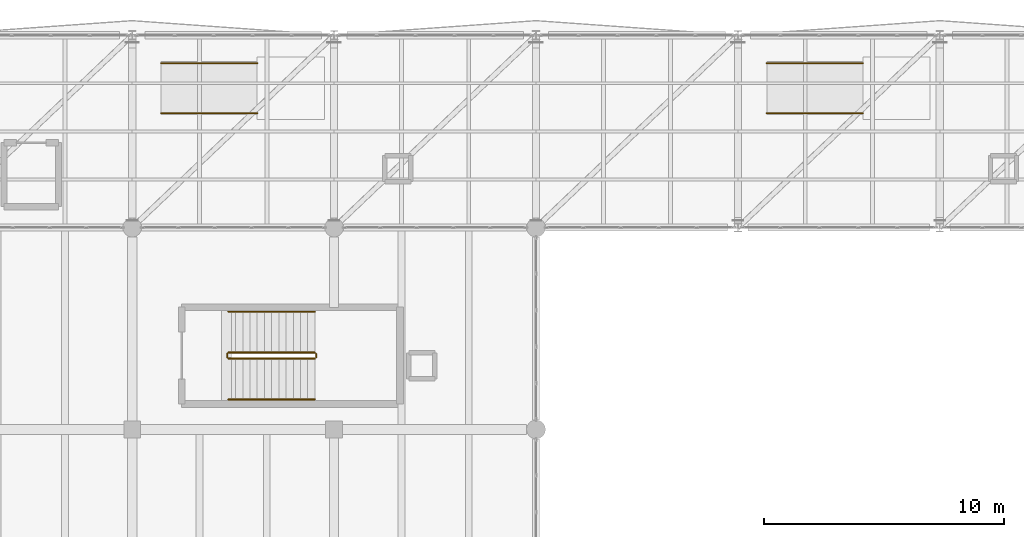
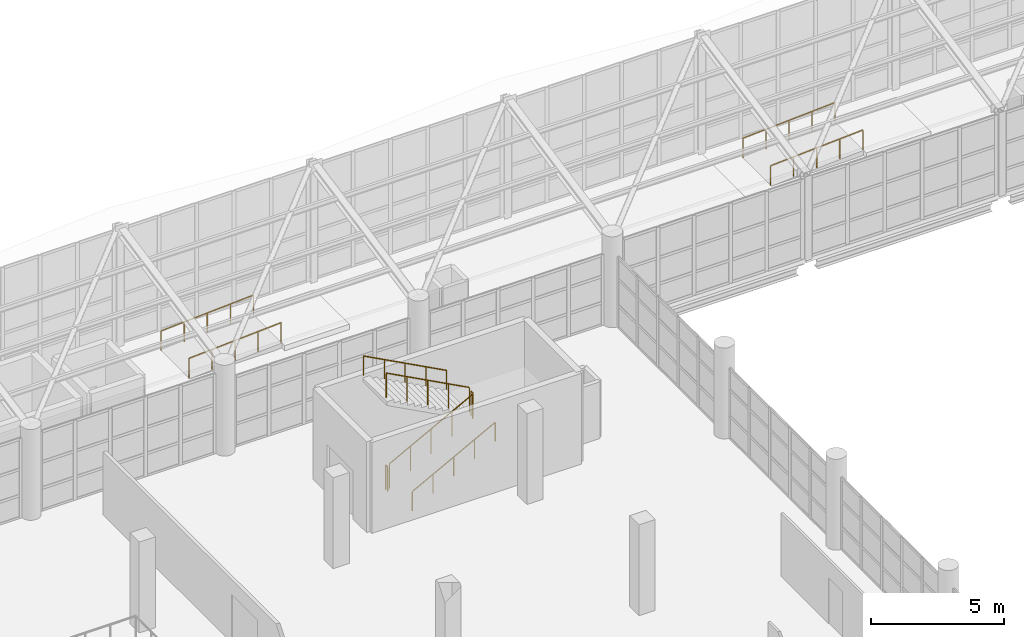
# One storey, part 173 of 177: 10 railings.
"""IFC4 building model written with IfcOpenShell, lengths in metres."""

from ifc_helpers import new_model, si_unit, direction, frame, origin, origin_2d, place, context, subcontext, project, spatial, circle, extrude, material, type_object, element, save


model = new_model("IFC4")

# Units and contexts
model_context = context("Model", 3, precision=1e-05, world=origin(), true_north=direction((0.0, 1.0)))
body_context = subcontext(model_context, "Body", "Model", "MODEL_VIEW")
ifc_project = project(units=[si_unit("LENGTHUNIT", "METRE"), si_unit("AREAUNIT", "SQUARE_METRE"), si_unit("VOLUMEUNIT", "CUBIC_METRE"), si_unit("PLANEANGLEUNIT", "RADIAN"), si_unit("MASSUNIT", "GRAM", prefix="KILO"), si_unit("THERMODYNAMICTEMPERATUREUNIT", "KELVIN"), si_unit("POWERUNIT", "WATT")], contexts=[model_context])

# Site, building, storey
site_placement = place(None, origin())
site = spatial("IfcSite", under=ifc_project, at=site_placement, CompositionType="ELEMENT")
building_placement = place(site_placement, origin())
building = spatial("IfcBuilding", under=site, at=building_placement, Name="Mavoryth Pier Ferry Terminal", CompositionType="ELEMENT")
storey_placement = place(building_placement, frame((0.0, 0.0, 5.43994140625)))
storey = spatial("IfcBuildingStorey", under=building, at=storey_placement, Name="L01", CompositionType="ELEMENT", Elevation=5.43994140625)

# Railings
ifc_material_1 = material(Name="Bronze-Anodised Aluminium and Glass Balustrade", Category="aluminium")
railing_type_1 = type_object("IfcRailingType", Name="Guard-Atrium-Bronze1150", PredefinedType="GUARDRAIL", material=ifc_material_1)
railing_1_placement = place(storey_placement, frame((79.60009765625, 100.550048828125, 0.16015625)))
element("IfcRailing", 1, at=railing_1_placement, inside=storey, type_object=railing_type_1, Name="L01 ST15 stair guard 1", PredefinedType="GUARDRAIL", context=body_context, shape_type="SweptSolid", body=[
    extrude(circle(Radius=0.02392578125, at=origin_2d()), frame((0.0, 0.0, 1.1259765625), z_axis=(0.882352941176, 0.0, 0.470588235294), x_axis=(0.0, 1.0, 0.0)), (0.0, 0.0, 1.0), 4.079833984375),
    extrude(circle(Radius=0.02099609375, at=origin_2d()), origin(), (0.0, 0.0, 1.0), 1.101806640625),
    extrude(circle(Radius=0.02099609375, at=origin_2d()), frame((0.89990234375, 0.0, 0.47998046875)), (0.0, 0.0, 1.0), 1.101806640625),
    extrude(circle(Radius=0.02099609375, at=origin_2d()), frame((1.7998046875, 0.0, 0.9599609375)), (0.0, 0.0, 1.0), 1.101806640625),
    extrude(circle(Radius=0.02099609375, at=origin_2d()), frame((2.699951171875, 0.0, 1.43994140625)), (0.0, 0.0, 1.0), 1.101806640625),
    extrude(circle(Radius=0.02099609375, at=origin_2d()), frame((3.599853515625, 0.0, 1.919921875)), (0.0, 0.0, 1.0), 1.101806640625),
])
railing_2_placement = place(storey_placement, frame((83.25, 100.60009765625, 2.080078125)))
element("IfcRailing", 2, at=railing_2_placement, inside=storey, type_object=railing_type_1, Name="L01 ST15 stair guard 2", PredefinedType="GUARDRAIL", context=body_context, shape_type="SweptSolid", body=[
    extrude(circle(Radius=0.02392578125, at=origin_2d()), frame((0.0, 0.0, 1.1259765625), z_axis=(0.0, 1.0, 0.0), x_axis=(-1.0, 0.0, 0.0)), (0.0, 0.0, 1.0), 0.14990234375),
    extrude(circle(Radius=0.02099609375, at=origin_2d()), origin(), (0.0, 0.0, 1.0), 1.101806640625),
    extrude(circle(Radius=0.02099609375, at=origin_2d()), frame((0.0, 0.14990234375, 0.0)), (0.0, 0.0, 1.0), 1.101806640625),
])
railing_3_placement = place(storey_placement, frame((83.199951171875, 100.800048828125, 2.239990234375)))
element("IfcRailing", 3, at=railing_3_placement, inside=storey, type_object=railing_type_1, Name="L01 ST15 stair guard 3", PredefinedType="GUARDRAIL", context=body_context, shape_type="SweptSolid", body=[
    extrude(circle(Radius=0.02392578125, at=origin_2d()), frame((0.0, 0.0, 1.1259765625), z_axis=(-0.882328093246, 0.0, 0.470634822203), x_axis=(0.0, -1.0, 0.0)), (0.0, 0.0, 1.0), 4.079833984375),
    extrude(circle(Radius=0.02099609375, at=origin_2d()), origin(), (0.0, 0.0, 1.0), 1.101806640625),
    extrude(circle(Radius=0.02099609375, at=origin_2d()), frame((-0.89990234375, 0.0, 0.47998046875)), (0.0, 0.0, 1.0), 1.101806640625),
    extrude(circle(Radius=0.02099609375, at=origin_2d()), frame((-1.7998046875, 0.0, 0.9599609375)), (0.0, 0.0, 1.0), 1.101806640625),
    extrude(circle(Radius=0.02099609375, at=origin_2d()), frame((-2.699951171875, 0.0, 1.440185546875)), (0.0, 0.0, 1.0), 1.101806640625),
    extrude(circle(Radius=0.02099609375, at=origin_2d()), frame((-3.599853515625, 0.0, 1.920166015625)), (0.0, 0.0, 1.0), 1.101806640625),
])
railing_4_placement = place(storey_placement, frame((79.550048828125, 100.60009765625, 0.0)))
element("IfcRailing", 4, at=railing_4_placement, inside=storey, type_object=railing_type_1, Name="L01 ST15 stair guard 4", PredefinedType="GUARDRAIL", context=body_context, shape_type="SweptSolid", body=[
    extrude(circle(Radius=0.02392578125, at=origin_2d()), frame((0.0, 0.0, 1.1259765625), z_axis=(0.0, 1.0, 0.0), x_axis=(-1.0, 0.0, 0.0)), (0.0, 0.0, 1.0), 0.14990234375),
    extrude(circle(Radius=0.02099609375, at=origin_2d()), origin(), (0.0, 0.0, 1.0), 1.101806640625),
    extrude(circle(Radius=0.02099609375, at=origin_2d()), frame((0.0, 0.14990234375, 0.0)), (0.0, 0.0, 1.0), 1.101806640625),
])
ifc_material_2 = material(Name="Marine-Grade 316 Stainless Steel Handrail", Category="steel")
railing_type_2 = type_object("IfcRailingType", Name="Handrail-Ramp-SS920", PredefinedType="HANDRAIL", material=ifc_material_2)
for number, where, name in (
    (5, (76.800048828125, 110.760009765625, 0.0), "Ramp BR01 Rail"),
    (6, (76.800048828125, 112.840087890625, 0.0), "Ramp BR01 Rail"),
    (7, (102.0, 110.760009765625, 0.0), "Ramp BR02 Rail"),
    (8, (102.0, 112.840087890625, 0.0), "Ramp BR02 Rail"),
):
    element("IfcRailing", number, at=place(storey_placement, frame(where)), inside=storey, type_object=railing_type_2, Name=name, PredefinedType="HANDRAIL", context=body_context, shape_type="SweptSolid", body=[
        extrude(circle(Radius=0.02392578125, at=origin_2d()), frame((0.0, 0.0, 0.89599609375), z_axis=(0.99820499116, 0.0, 0.059889862446), x_axis=(0.0, 1.0, 0.0)), (0.0, 0.0, 1.0), 4.007080078125),
        extrude(circle(Radius=0.02099609375, at=origin_2d()), origin(), (0.0, 0.0, 1.0), 0.871826171875),
        extrude(circle(Radius=0.02099609375, at=origin_2d()), frame((1.0, 0.0, 0.06005859375)), (0.0, 0.0, 1.0), 0.871826171875),
        extrude(circle(Radius=0.02099609375, at=origin_2d()), frame((2.0, 0.0, 0.1201171875)), (0.0, 0.0, 1.0), 0.871826171875),
        extrude(circle(Radius=0.02099609375, at=origin_2d()), frame((3.0, 0.0, 0.179931640625)), (0.0, 0.0, 1.0), 0.871826171875),
        extrude(circle(Radius=0.02099609375, at=origin_2d()), frame((4.0, 0.0, 0.239990234375)), (0.0, 0.0, 1.0), 0.871826171875),
    ])
ifc_material_3 = material(Name="Brushed Stainless Steel Tubular Handrail", Category="steel")
railing_type_3 = type_object("IfcRailingType", Name="Handrail-Stair-SS900", PredefinedType="HANDRAIL", material=ifc_material_3)
railing_5_placement = place(storey_placement, frame((79.60009765625, 98.85009765625, 0.16015625)))
element("IfcRailing", 9, at=railing_5_placement, inside=storey, type_object=railing_type_3, Name="L01 ST15 stair handrail 1", PredefinedType="HANDRAIL", context=body_context, shape_type="SweptSolid", body=[
    extrude(circle(Radius=0.02392578125, at=origin_2d()), frame((0.0, 0.0, 0.8759765625), z_axis=(0.882352941176, 0.0, 0.470588235294), x_axis=(0.0, 1.0, 0.0)), (0.0, 0.0, 1.0), 4.079833984375),
    extrude(circle(Radius=0.02099609375, at=origin_2d()), origin(), (0.0, 0.0, 1.0), 0.851806640625),
    extrude(circle(Radius=0.02099609375, at=origin_2d()), frame((0.89990234375, 0.0, 0.47998046875)), (0.0, 0.0, 1.0), 0.851806640625),
    extrude(circle(Radius=0.02099609375, at=origin_2d()), frame((1.7998046875, 0.0, 0.9599609375)), (0.0, 0.0, 1.0), 0.851806640625),
    extrude(circle(Radius=0.02099609375, at=origin_2d()), frame((2.699951171875, 0.0, 1.43994140625)), (0.0, 0.0, 1.0), 0.851806640625),
    extrude(circle(Radius=0.02099609375, at=origin_2d()), frame((3.599853515625, 0.0, 1.919921875)), (0.0, 0.0, 1.0), 0.851806640625),
])
railing_6_placement = place(storey_placement, frame((83.199951171875, 102.5, 2.239990234375)))
element("IfcRailing", 10, at=railing_6_placement, inside=storey, type_object=railing_type_3, Name="L01 ST15 stair handrail 2", PredefinedType="HANDRAIL", context=body_context, shape_type="SweptSolid", body=[
    extrude(circle(Radius=0.02392578125, at=origin_2d()), frame((0.0, 0.0, 0.8759765625), z_axis=(-0.882328093246, 0.0, 0.470634822203), x_axis=(0.0, -1.0, 0.0)), (0.0, 0.0, 1.0), 4.079833984375),
    extrude(circle(Radius=0.02099609375, at=origin_2d()), origin(), (0.0, 0.0, 1.0), 0.851806640625),
    extrude(circle(Radius=0.02099609375, at=origin_2d()), frame((-0.89990234375, 0.0, 0.47998046875)), (0.0, 0.0, 1.0), 0.851806640625),
    extrude(circle(Radius=0.02099609375, at=origin_2d()), frame((-1.7998046875, 0.0, 0.9599609375)), (0.0, 0.0, 1.0), 0.851806640625),
    extrude(circle(Radius=0.02099609375, at=origin_2d()), frame((-2.699951171875, 0.0, 1.440185546875)), (0.0, 0.0, 1.0), 0.851806640625),
    extrude(circle(Radius=0.02099609375, at=origin_2d()), frame((-3.599853515625, 0.0, 1.920166015625)), (0.0, 0.0, 1.0), 0.851806640625),
])

save(model, "model.ifc")
